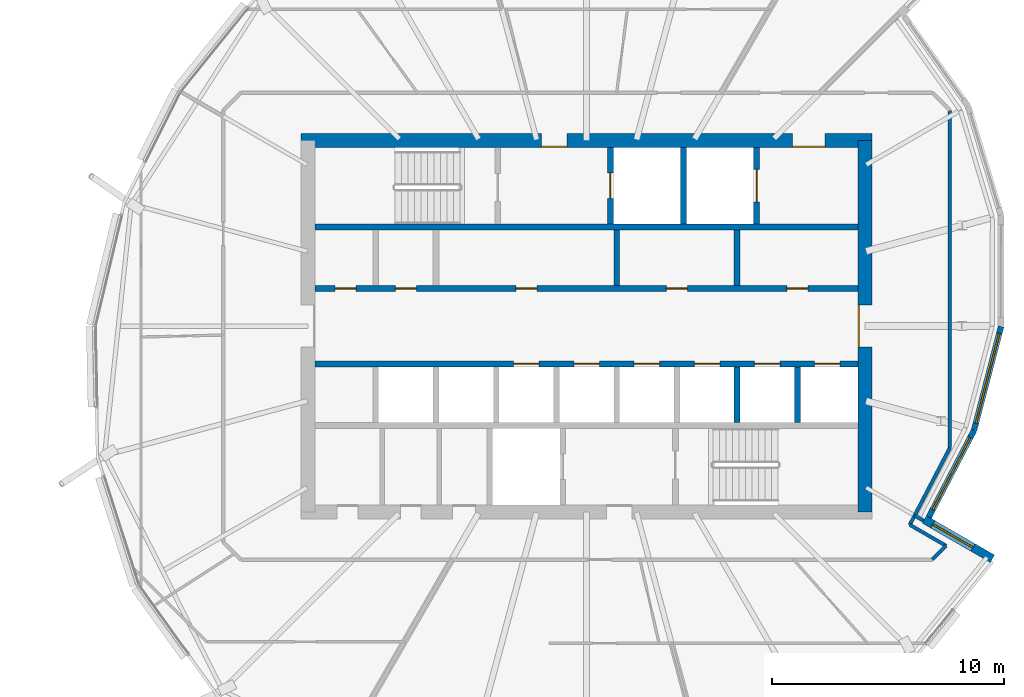
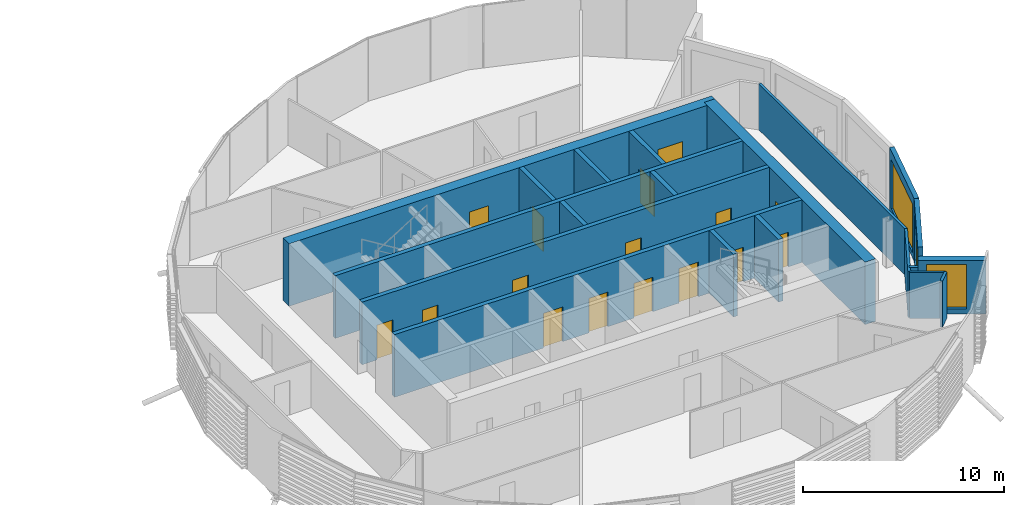
# One storey, part 23 of 37: 20 walls, 16 doors, 3 windows, 19 openings.
"""IFC4 building model written with IfcOpenShell, lengths in metres."""

from ifc_helpers import new_model, si_unit, direction, frame, frame_2d, origin, place, context, subcontext, project, spatial, rectangle, extrude, material, layer, layer_set, type_object, element, fill, save


model = new_model("IFC4")

# Units and contexts
model_context = context("Model", 3, precision=1e-05, world=origin(), true_north=direction((0.0, 1.0)))
body_context = subcontext(model_context, "Body", "Model", "MODEL_VIEW")
ifc_project = project(units=[si_unit("LENGTHUNIT", "METRE"), si_unit("AREAUNIT", "SQUARE_METRE"), si_unit("VOLUMEUNIT", "CUBIC_METRE"), si_unit("PLANEANGLEUNIT", "RADIAN"), si_unit("MASSUNIT", "GRAM", prefix="KILO")], contexts=[model_context])

# Site, building, storey
site_placement = place(None, origin())
site = spatial("IfcSite", under=ifc_project, at=site_placement, CompositionType="ELEMENT")
building_placement = place(site_placement, origin())
building = spatial("IfcBuilding", under=site, at=building_placement, Name="Rimbun Link Towers", CompositionType="ELEMENT")
storey_placement = place(building_placement, frame((0.0, 0.0, 162.699951171875)))
storey = spatial("IfcBuildingStorey", under=building, at=storey_placement, Name="L39", CompositionType="ELEMENT", Elevation=162.699951171875)

# Wall, opening, window
ifc_material_1 = material(Name="Dark enamelled glass spandrel on insulated aluminium backpan", Category="aluminium")
ifc_layer_1 = layer(ifc_material_1, 0.25)
ifc_layer_set_1 = layer_set([ifc_layer_1], Name="CS dark enamelled spandrel wall 250")
wall_type_1 = type_object("IfcWallType", Name="CS dark enamelled spandrel wall 250", PredefinedType="STANDARD", material=ifc_layer_set_1)
wall_1_placement = place(storey_placement, frame((48.44287109375, -4.486572265625, 0.0), z_axis=(0.0, 0.0, 1.0), x_axis=(-0.461704688685, -0.887033697469, 0.0)))
wall_1 = element("IfcWall", 1, at=wall_1_placement, inside=storey, type_object=wall_type_1, Name="Crease spandrel wall", PredefinedType="STANDARD", context=body_context, shape_type="SweptSolid", body=[
    extrude(rectangle(XDim=4.21484375, YDim=0.25, at=frame_2d((2.107421875, 0.0))), origin(), (0.0, 0.0, 1.0), 3.800048828125),
])
opening_1_placement = place(wall_1_placement, frame((0.357421875, 0.0, 0.300048828125)))
opening_1 = element("IfcOpeningElement", 2, at=opening_1_placement, cuts=wall_1, Name="Opening WR35H295", PredefinedType="OPENING", context=body_context, shape_type="SweptSolid", body=[
    extrude(rectangle(XDim=3.5, YDim=2.949951171875, at=frame_2d((1.75, 1.47509765625))), frame((0.0, 0.135009765625, 0.0), z_axis=(0.0, -1.0, 0.0), x_axis=(1.0, 0.0, 0.0)), (0.0, 0.0, 1.0), 0.27001953125),
])
ifc_material_2 = material(Name="Aluminium framed fixed window, dark tinted low-e glass", Category="aluminium")
window_type_1 = type_object("IfcWindowType", Name="WR ribbon window 3500X2950", PartitioningType="SINGLE_PANEL", PredefinedType="WINDOW", material=ifc_material_2)
window_1_placement = place(opening_1_placement, origin())
window_1 = element("IfcWindow", 3, at=window_1_placement, inside=storey, type_object=window_type_1, Name="Crease ribbon window", OverallHeight=2.949951171875, OverallWidth=3.5, PartitioningType="SINGLE_PANEL", PredefinedType="WINDOW", context=body_context, shape_type="SweptSolid", body=[
    extrude(rectangle(XDim=3.5, YDim=2.949951171875, at=frame_2d((1.75, 1.47509765625))), frame((0.0, 0.030029296875, 0.0), z_axis=(0.0, -1.0, 0.0), x_axis=(1.0, 0.0, 0.0)), (0.0, 0.0, 1.0), 0.06005859375),
])
fill(opening_1, window_1)

wall_2_placement = place(storey_placement, frame((49.607177734375, -0.015869140625, 0.0), z_axis=(0.0, 0.0, 1.0), x_axis=(-0.252023891892, -0.967721012439, 0.0)))
wall_2 = element("IfcWall", 4, at=wall_2_placement, inside=storey, type_object=wall_type_1, Name="Crease spandrel wall", PredefinedType="STANDARD", context=body_context, shape_type="SweptSolid", body=[
    extrude(rectangle(XDim=4.619873046875, YDim=0.25, at=frame_2d((2.31005859375, 0.0))), origin(), (0.0, 0.0, 1.0), 3.800048828125),
])
opening_2_placement = place(wall_2_placement, frame((0.309814453125, 0.0, 0.300048828125)))
opening_2 = element("IfcOpeningElement", 5, at=opening_2_placement, cuts=wall_2, Name="Opening WR40H295", PredefinedType="OPENING", context=body_context, shape_type="SweptSolid", body=[
    extrude(rectangle(XDim=4.0, YDim=2.949951171875, at=frame_2d((2.0, 1.47509765625))), frame((0.0, 0.135009765625, 0.0), z_axis=(0.0, -1.0, 0.0), x_axis=(1.0, 0.0, 0.0)), (0.0, 0.0, 1.0), 0.27001953125),
])
ifc_material_3 = material(Name="Aluminium framed fixed window, dark tinted low-e glass", Category="aluminium")
window_type_2 = type_object("IfcWindowType", Name="WR ribbon window 4000X2950", PartitioningType="SINGLE_PANEL", PredefinedType="WINDOW", material=ifc_material_3)
window_2_placement = place(opening_2_placement, origin())
window_2 = element("IfcWindow", 6, at=window_2_placement, inside=storey, type_object=window_type_2, Name="Crease ribbon window", OverallHeight=2.949951171875, OverallWidth=4.0, PartitioningType="SINGLE_PANEL", PredefinedType="WINDOW", context=body_context, shape_type="SweptSolid", body=[
    extrude(rectangle(XDim=4.0, YDim=2.949951171875, at=frame_2d((2.0, 1.47509765625))), frame((0.0, 0.030029296875, 0.0), z_axis=(0.0, -1.0, 0.0), x_axis=(1.0, 0.0, 0.0)), (0.0, 0.0, 1.0), 0.06005859375),
])
fill(opening_2, window_2)

ifc_material_4 = material(Name="Dark enamelled glass spandrel on insulated aluminium backpan", Category="aluminium")
ifc_layer_2 = layer(ifc_material_4, 0.3701171875)
ifc_layer_set_2 = layer_set([ifc_layer_2], Name="CS dark enamelled spandrel wall 370")
wall_type_2 = type_object("IfcWallType", Name="CS dark enamelled spandrel wall 370", PredefinedType="STANDARD", material=ifc_layer_set_2)
wall_3_placement = place(storey_placement, frame((46.305419921875, -8.32861328125, 0.0), z_axis=(0.0, 0.0, 1.0), x_axis=(0.866038843867, -0.499976720371, 0.0)))
wall_3 = element("IfcWall", 7, at=wall_3_placement, inside=storey, type_object=wall_type_2, Name="Crease spandrel wall", PredefinedType="STANDARD", context=body_context, shape_type="SweptSolid", body=[
    extrude(rectangle(XDim=3.380126953125, YDim=0.3701171875, at=frame_2d((1.68994140625, 0.0))), origin(), (0.0, 0.0, 1.0), 3.233642578125),
])
opening_3_placement = place(wall_3_placement, frame((0.41455078125, 0.0, 0.300048828125)))
opening_3 = element("IfcOpeningElement", 8, at=opening_3_placement, cuts=wall_3, Name="Opening WR20H270", PredefinedType="OPENING", context=body_context, shape_type="SweptSolid", body=[
    extrude(rectangle(XDim=2.0, YDim=2.699951171875, at=frame_2d((1.0, 1.35009765625))), frame((0.0, 0.195068359375, 0.0), z_axis=(0.0, -1.0, 0.0), x_axis=(1.0, 0.0, 0.0)), (0.0, 0.0, 1.0), 0.39013671875),
])
ifc_material_5 = material(Name="Aluminium framed fixed window, dark tinted low-e glass", Category="aluminium")
window_type_3 = type_object("IfcWindowType", Name="WR ribbon window 2000X2700", PartitioningType="SINGLE_PANEL", PredefinedType="WINDOW", material=ifc_material_5)
window_3_placement = place(opening_3_placement, origin())
window_3 = element("IfcWindow", 9, at=window_3_placement, inside=storey, type_object=window_type_3, Name="Crease ribbon window", OverallHeight=2.699951171875, OverallWidth=2.0, PartitioningType="SINGLE_PANEL", PredefinedType="WINDOW", context=body_context, shape_type="SweptSolid", body=[
    extrude(rectangle(XDim=2.0, YDim=2.699951171875, at=frame_2d((1.0, 1.35009765625))), frame((0.0, 0.030029296875, 0.0), z_axis=(0.0, -1.0, 0.0), x_axis=(1.0, 0.0, 0.0)), (0.0, 0.0, 1.0), 0.06005859375),
])
fill(opening_3, window_3)

# Wall, openings, doors
ifc_material_6 = material(Name="Concrete C60/75", Category="concrete")
ifc_layer_3 = layer(ifc_material_6, 0.60009765625)
ifc_layer_set_3 = layer_set([ifc_layer_3], Name="Core shear wall 600")
wall_type_3 = type_object("IfcWallType", Name="Core shear wall 600", PredefinedType="SHEAR", material=ifc_layer_set_3)
wall_4_placement = place(storey_placement, frame((19.449951171875, 8.0, 0.0), z_axis=(0.0, 0.0, 1.0), x_axis=(1.0, 0.0, 0.0)))
wall_4 = element("IfcWall", 10, at=wall_4_placement, inside=storey, type_object=wall_type_3, Name="L39 T2 core wall N", PredefinedType="SHEAR", context=body_context, shape_type="SweptSolid", body=[
    extrude(rectangle(XDim=24.60009765625, YDim=0.60009765625, at=frame_2d((12.300048828125, 0.0))), origin(), (0.0, 0.0, 1.0), 3.800048828125),
])
opening_4_placement = place(wall_4_placement, frame((10.35009765625, 0.0, 0.0)))
opening_4 = element("IfcOpeningElement", 11, at=opening_4_placement, cuts=wall_4, Name="Opening C2DCF01N", PredefinedType="OPENING", context=body_context, shape_type="SweptSolid", body=[
    extrude(rectangle(XDim=1.10009765625, YDim=2.10009765625, at=frame_2d((0.550048828125, 1.050048828125))), frame((0.0, 0.31005859375, 0.0), z_axis=(0.0, -1.0, 0.0), x_axis=(1.0, 0.0, 0.0)), (0.0, 0.0, 1.0), 0.6201171875),
])
opening_5_placement = place(wall_4_placement, frame((21.175048828125, 0.0, 0.0)))
opening_5 = element("IfcOpeningElement", 12, at=opening_5_placement, cuts=wall_4, Name="Opening C2DSL02N", PredefinedType="OPENING", context=body_context, shape_type="SweptSolid", body=[
    extrude(rectangle(XDim=1.39990234375, YDim=2.10009765625, at=frame_2d((0.699951171875, 1.050048828125))), frame((0.0, 0.31005859375, 0.0), z_axis=(0.0, -1.0, 0.0), x_axis=(1.0, 0.0, 0.0)), (0.0, 0.0, 1.0), 0.6201171875),
])
ifc_material_7 = material(Name="Steel fire door set", Category="steel")
door_type_1 = type_object("IfcDoorType", Name="Core fire door single", OperationType="SINGLE_SWING_LEFT", PredefinedType="DOOR", material=ifc_material_7)
door_1_placement = place(opening_4_placement, origin())
door_1 = element("IfcDoor", 13, at=door_1_placement, inside=storey, type_object=door_type_1, Name="L39 T2 firefighting lobby n door", OperationType="SINGLE_SWING_LEFT", OverallHeight=2.10009765625, OverallWidth=1.10009765625, PredefinedType="DOOR", context=body_context, shape_type="SweptSolid", body=[
    extrude(rectangle(XDim=1.10009765625, YDim=2.10009765625, at=frame_2d((0.550048828125, 1.050048828125))), frame((0.0, -0.25, 0.0), z_axis=(0.0, -1.0, 0.0), x_axis=(1.0, 0.0, 0.0)), (0.0, 0.0, 1.0), 0.050048828125),
])
fill(opening_4, door_1)
ifc_material_8 = material(Name="Steel fire door set", Category="steel")
door_type_2 = type_object("IfcDoorType", Name="Service lobby door double", OperationType="DOUBLE_DOOR_SINGLE_SWING", PredefinedType="DOOR", material=ifc_material_8)
door_2_placement = place(opening_5_placement, origin())
door_2 = element("IfcDoor", 14, at=door_2_placement, inside=storey, type_object=door_type_2, Name="L39 T2 service lobby door", OperationType="DOUBLE_DOOR_SINGLE_SWING", OverallHeight=2.10009765625, OverallWidth=1.39990234375, PredefinedType="DOOR", context=body_context, shape_type="SweptSolid", body=[
    extrude(rectangle(XDim=1.39990234375, YDim=2.10009765625, at=frame_2d((0.699951171875, 1.050048828125))), frame((0.0, -0.25, 0.0), z_axis=(0.0, -1.0, 0.0), x_axis=(1.0, 0.0, 0.0)), (0.0, 0.0, 1.0), 0.050048828125),
])
fill(opening_5, door_2)

# Wall, opening, door
wall_5_placement = place(storey_placement, frame((43.75, -8.0, 0.0), z_axis=(0.0, 0.0, 1.0), x_axis=(0.0, 1.0, 0.0)))
wall_5 = element("IfcWall", 15, at=wall_5_placement, inside=storey, type_object=wall_type_3, Name="L39 T2 core wall E", PredefinedType="SHEAR", context=body_context, shape_type="SweptSolid", body=[
    extrude(rectangle(XDim=16.0, YDim=0.60009765625, at=frame_2d((8.0, 0.0))), origin(), (0.0, 0.0, 1.0), 3.800048828125),
])
opening_6_placement = place(wall_5_placement, frame((7.10009765625, 0.0, 0.0)))
opening_6 = element("IfcOpeningElement", 16, at=opening_6_placement, cuts=wall_5, Name="Opening C2DCL01E", PredefinedType="OPENING", context=body_context, shape_type="SweptSolid", body=[
    extrude(rectangle(XDim=1.800048828125, YDim=2.10009765625, at=frame_2d((0.89990234375, 1.050048828125))), frame((0.0, 0.31005859375, 0.0), z_axis=(0.0, -1.0, 0.0), x_axis=(1.0, 0.0, 0.0)), (0.0, 0.0, 1.0), 0.6201171875),
])
ifc_material_9 = material(Name="Steel fire door set", Category="steel")
door_type_3 = type_object("IfcDoorType", Name="Core lobby door double", OperationType="DOUBLE_DOOR_SINGLE_SWING", PredefinedType="DOOR", material=ifc_material_9)
door_3_placement = place(opening_6_placement, origin())
door_3 = element("IfcDoor", 17, at=door_3_placement, inside=storey, type_object=door_type_3, Name="L39 T2 lift lobby door", OperationType="DOUBLE_DOOR_SINGLE_SWING", OverallHeight=2.10009765625, OverallWidth=1.800048828125, PredefinedType="DOOR", context=body_context, shape_type="SweptSolid", body=[
    extrude(rectangle(XDim=1.800048828125, YDim=2.10009765625, at=frame_2d((0.89990234375, 1.050048828125))), frame((0.0, 0.2998046875, 0.0), z_axis=(0.0, -1.0, 0.0), x_axis=(1.0, 0.0, 0.0)), (0.0, 0.0, 1.0), 0.050048828125),
])
fill(opening_6, door_3)

# Walls
ifc_material_10 = material(Name="Plasterboard on steel stud, mineral wool", Category="steel")
ifc_layer_4 = layer(ifc_material_10, 0.14990234375)
ifc_layer_set_4 = layer_set([ifc_layer_4], Name="Corridor wall EI 30 150 mm")
wall_type_4 = type_object("IfcWallType", Name="Corridor wall EI 30 150 mm", PredefinedType="PARTITIONING", material=ifc_layer_set_4)
wall_6_placement = place(storey_placement, frame((47.405029296875, -5.235107421875, 0.0), z_axis=(0.0, 0.0, 1.0), x_axis=(0.0, 1.0, 0.0)))
element("IfcWall", 18, at=wall_6_placement, inside=storey, type_object=wall_type_4, Name="Corridor wall EI 30 150 mm", PredefinedType="PARTITIONING", context=body_context, shape_type="SweptSolid", body=[
    extrude(rectangle(XDim=14.52880859375, YDim=0.14990234375, at=frame_2d((7.264404296875, 0.0))), origin(), (0.0, 0.0, 1.0), 2.7890625),
])
wall_7_placement = place(storey_placement, frame((45.6748046875, -8.55908203125, 0.0), z_axis=(0.0, 0.0, 1.0), x_axis=(0.461721937832, 0.887024719004, 0.0)))
element("IfcWall", 19, at=wall_7_placement, inside=storey, type_object=wall_type_4, Name="Corridor wall EI 30 150 mm", PredefinedType="PARTITIONING", context=body_context, shape_type="SweptSolid", body=[
    extrude(rectangle(XDim=3.747314453125, YDim=0.14990234375, at=frame_2d((1.87353515625, 0.0))), origin(), (0.0, 0.0, 1.0), 2.7890625),
])
wall_8_placement = place(storey_placement, frame((47.2373046875, -9.461181640625, 0.0), z_axis=(0.0, 0.0, 1.0), x_axis=(-0.866027848477, 0.499995765644, 0.0)))
element("IfcWall", 20, at=wall_8_placement, inside=storey, type_object=wall_type_4, Name="Corridor wall EI 30 150 mm", PredefinedType="PARTITIONING", context=body_context, shape_type="SweptSolid", body=[
    extrude(rectangle(XDim=1.80419921875, YDim=0.14990234375, at=frame_2d((0.902099609375, 0.0))), origin(), (0.0, 0.0, 1.0), 2.7890625),
])
wall_9_placement = place(storey_placement, frame((46.643798828125, -10.054931640625, 0.0), z_axis=(0.0, 0.0, 1.0), x_axis=(0.706961360773, 0.707252171699, 0.0)))
element("IfcWall", 21, at=wall_9_placement, inside=storey, type_object=wall_type_4, Name="Corridor wall EI 30 150 mm", PredefinedType="PARTITIONING", context=body_context, shape_type="SweptSolid", body=[
    extrude(rectangle(XDim=0.839599609375, YDim=0.14990234375, at=frame_2d((0.419921875, 0.0))), origin(), (0.0, 0.0, 1.0), 2.7890625),
])
ifc_material_11 = material(Name="Concrete C60/75", Category="concrete")
ifc_layer_5 = layer(ifc_material_11, 0.25)
ifc_layer_set_5 = layer_set([ifc_layer_5], Name="Shaft wall 250")
wall_type_5 = type_object("IfcWallType", Name="Shaft wall 250", PredefinedType="SHEAR", material=ifc_layer_set_5)
wall_10_placement = place(storey_placement, frame((20.050048828125, 4.27490234375, 0.0), z_axis=(0.0, 0.0, 1.0), x_axis=(1.0, 0.0, 0.0)))
element("IfcWall", 22, at=wall_10_placement, inside=storey, type_object=wall_type_5, Name="L39 T2 core wall BN", PredefinedType="SHEAR", context=body_context, shape_type="SweptSolid", body=[
    extrude(rectangle(XDim=23.39990234375, YDim=0.25, at=frame_2d((11.699951171875, 0.0))), origin(), (0.0, 0.0, 1.0), 3.800048828125),
])

# Wall, openings, doors
wall_11_placement = place(storey_placement, frame((20.050048828125, 1.625, 0.0), z_axis=(0.0, 0.0, 1.0), x_axis=(1.0, 0.0, 0.0)))
wall_11 = element("IfcWall", 23, at=wall_11_placement, inside=storey, type_object=wall_type_5, Name="L39 T2 core wall FN", PredefinedType="SHEAR", context=body_context, shape_type="SweptSolid", body=[
    extrude(rectangle(XDim=23.39990234375, YDim=0.25, at=frame_2d((11.699951171875, 0.0))), origin(), (0.0, 0.0, 1.0), 3.800048828125),
])
opening_7_placement = place(wall_11_placement, frame((0.872314453125, 0.0, 0.0)))
opening_7 = element("IfcOpeningElement", 24, at=opening_7_placement, cuts=wall_11, Name="Opening C2DRS01FN", PredefinedType="OPENING", context=body_context, shape_type="SweptSolid", body=[
    extrude(rectangle(XDim=0.89990234375, YDim=2.10009765625, at=frame_2d((0.449951171875, 1.050048828125))), frame((0.0, 0.135009765625, 0.0), z_axis=(0.0, -1.0, 0.0), x_axis=(1.0, 0.0, 0.0)), (0.0, 0.0, 1.0), 0.27001953125),
])
opening_8_placement = place(wall_11_placement, frame((3.466796875, 0.0, 0.0)))
opening_8 = element("IfcOpeningElement", 25, at=opening_8_placement, cuts=wall_11, Name="Opening C2DRS02FN", PredefinedType="OPENING", context=body_context, shape_type="SweptSolid", body=[
    extrude(rectangle(XDim=0.89990234375, YDim=2.10009765625, at=frame_2d((0.449951171875, 1.050048828125))), frame((0.0, 0.135009765625, 0.0), z_axis=(0.0, -1.0, 0.0), x_axis=(1.0, 0.0, 0.0)), (0.0, 0.0, 1.0), 0.27001953125),
])
opening_9_placement = place(wall_11_placement, frame((8.655517578125, 0.0, 0.0)))
opening_9 = element("IfcOpeningElement", 26, at=opening_9_placement, cuts=wall_11, Name="Opening C2DRS03FN", PredefinedType="OPENING", context=body_context, shape_type="SweptSolid", body=[
    extrude(rectangle(XDim=0.89990234375, YDim=2.10009765625, at=frame_2d((0.449951171875, 1.050048828125))), frame((0.0, 0.135009765625, 0.0), z_axis=(0.0, -1.0, 0.0), x_axis=(1.0, 0.0, 0.0)), (0.0, 0.0, 1.0), 0.27001953125),
])
opening_10_placement = place(wall_11_placement, frame((15.1416015625, 0.0, 0.0)))
opening_10 = element("IfcOpeningElement", 27, at=opening_10_placement, cuts=wall_11, Name="Opening C2DRS04FN", PredefinedType="OPENING", context=body_context, shape_type="SweptSolid", body=[
    extrude(rectangle(XDim=0.89990234375, YDim=2.10009765625, at=frame_2d((0.449951171875, 1.050048828125))), frame((0.0, 0.135009765625, 0.0), z_axis=(0.0, -1.0, 0.0), x_axis=(1.0, 0.0, 0.0)), (0.0, 0.0, 1.0), 0.27001953125),
])
opening_11_placement = place(wall_11_placement, frame((20.33056640625, 0.0, 0.0)))
opening_11 = element("IfcOpeningElement", 28, at=opening_11_placement, cuts=wall_11, Name="Opening C2DRS05FN", PredefinedType="OPENING", context=body_context, shape_type="SweptSolid", body=[
    extrude(rectangle(XDim=0.89990234375, YDim=2.10009765625, at=frame_2d((0.449951171875, 1.050048828125))), frame((0.0, 0.135009765625, 0.0), z_axis=(0.0, -1.0, 0.0), x_axis=(1.0, 0.0, 0.0)), (0.0, 0.0, 1.0), 0.27001953125),
])
ifc_material_12 = material(Name="Steel fire door set", Category="steel")
door_type_4 = type_object("IfcDoorType", Name="Core riser door", OperationType="SINGLE_SWING_LEFT", PredefinedType="DOOR", material=ifc_material_12)
door_4_placement = place(opening_7_placement, origin())
door_4 = element("IfcDoor", 29, at=door_4_placement, inside=storey, type_object=door_type_4, Name="L39 T2 pantry door", OperationType="SINGLE_SWING_RIGHT", OverallHeight=2.10009765625, OverallWidth=0.89990234375, PredefinedType="DOOR", context=body_context, shape_type="SweptSolid", body=[
    extrude(rectangle(XDim=0.89990234375, YDim=2.10009765625, at=frame_2d((0.449951171875, 1.050048828125))), frame((0.0, 0.02490234375, 0.0), z_axis=(0.0, -1.0, 0.0), x_axis=(1.0, 0.0, 0.0)), (0.0, 0.0, 1.0), 0.050048828125),
])
fill(opening_7, door_4)
door_5_placement = place(opening_8_placement, origin())
door_5 = element("IfcDoor", 30, at=door_5_placement, inside=storey, type_object=door_type_4, Name="L39 T2 stationery store door", OperationType="SINGLE_SWING_LEFT", OverallHeight=2.10009765625, OverallWidth=0.89990234375, PredefinedType="DOOR", context=body_context, shape_type="SweptSolid", body=[
    extrude(rectangle(XDim=0.89990234375, YDim=2.10009765625, at=frame_2d((0.449951171875, 1.050048828125))), frame((0.0, 0.02490234375, 0.0), z_axis=(0.0, -1.0, 0.0), x_axis=(1.0, 0.0, 0.0)), (0.0, 0.0, 1.0), 0.050048828125),
])
fill(opening_8, door_5)
door_6_placement = place(opening_9_placement, origin())
door_6 = element("IfcDoor", 31, at=door_6_placement, inside=storey, type_object=door_type_4, Name="L39 T2 training store door", OperationType="SINGLE_SWING_LEFT", OverallHeight=2.10009765625, OverallWidth=0.89990234375, PredefinedType="DOOR", context=body_context, shape_type="SweptSolid", body=[
    extrude(rectangle(XDim=0.89990234375, YDim=2.10009765625, at=frame_2d((0.449951171875, 1.050048828125))), frame((0.0, 0.02490234375, 0.0), z_axis=(0.0, -1.0, 0.0), x_axis=(1.0, 0.0, 0.0)), (0.0, 0.0, 1.0), 0.050048828125),
])
fill(opening_9, door_6)
door_7_placement = place(opening_10_placement, origin())
door_7 = element("IfcDoor", 32, at=door_7_placement, inside=storey, type_object=door_type_4, Name="L39 T2 print room door", OperationType="SINGLE_SWING_LEFT", OverallHeight=2.10009765625, OverallWidth=0.89990234375, PredefinedType="DOOR", context=body_context, shape_type="SweptSolid", body=[
    extrude(rectangle(XDim=0.89990234375, YDim=2.10009765625, at=frame_2d((0.449951171875, 1.050048828125))), frame((0.0, 0.02490234375, 0.0), z_axis=(0.0, -1.0, 0.0), x_axis=(1.0, 0.0, 0.0)), (0.0, 0.0, 1.0), 0.050048828125),
])
fill(opening_10, door_7)
door_8_placement = place(opening_11_placement, origin())
door_8 = element("IfcDoor", 33, at=door_8_placement, inside=storey, type_object=door_type_4, Name="L39 T2 staff lounge door", OperationType="SINGLE_SWING_LEFT", OverallHeight=2.10009765625, OverallWidth=0.89990234375, PredefinedType="DOOR", context=body_context, shape_type="SweptSolid", body=[
    extrude(rectangle(XDim=0.89990234375, YDim=2.10009765625, at=frame_2d((0.449951171875, 1.050048828125))), frame((0.0, 0.02490234375, 0.0), z_axis=(0.0, -1.0, 0.0), x_axis=(1.0, 0.0, 0.0)), (0.0, 0.0, 1.0), 0.050048828125),
])
fill(opening_11, door_8)

wall_12_placement = place(storey_placement, frame((20.050048828125, -1.625, 0.0), z_axis=(0.0, 0.0, 1.0), x_axis=(1.0, 0.0, 0.0)))
wall_12 = element("IfcWall", 34, at=wall_12_placement, inside=storey, type_object=wall_type_5, Name="L39 T2 core wall FS", PredefinedType="SHEAR", context=body_context, shape_type="SweptSolid", body=[
    extrude(rectangle(XDim=23.39990234375, YDim=0.25, at=frame_2d((11.699951171875, 0.0))), origin(), (0.0, 0.0, 1.0), 3.800048828125),
])
opening_12_placement = place(wall_12_placement, frame((8.5556640625, 0.0, 0.0)))
opening_12 = element("IfcOpeningElement", 35, at=opening_12_placement, cuts=wall_12, Name="Opening LD-T2-HR1", PredefinedType="OPENING", context=body_context, shape_type="SweptSolid", body=[
    extrude(rectangle(XDim=1.10009765625, YDim=2.10009765625, at=frame_2d((0.550048828125, 1.050048828125))), frame((0.0, 0.135009765625, 0.0), z_axis=(0.0, -1.0, 0.0), x_axis=(1.0, 0.0, 0.0)), (0.0, 0.0, 1.0), 0.27001953125),
])
opening_13_placement = place(wall_12_placement, frame((11.14990234375, 0.0, 0.0)))
opening_13 = element("IfcOpeningElement", 36, at=opening_13_placement, cuts=wall_12, Name="Opening LD-T2-HR2", PredefinedType="OPENING", context=body_context, shape_type="SweptSolid", body=[
    extrude(rectangle(XDim=1.10009765625, YDim=2.10009765625, at=frame_2d((0.550048828125, 1.050048828125))), frame((0.0, 0.135009765625, 0.0), z_axis=(0.0, -1.0, 0.0), x_axis=(1.0, 0.0, 0.0)), (0.0, 0.0, 1.0), 0.27001953125),
])
opening_14_placement = place(wall_12_placement, frame((13.744384765625, 0.0, 0.0)))
opening_14 = element("IfcOpeningElement", 37, at=opening_14_placement, cuts=wall_12, Name="Opening LD-T2-HR3", PredefinedType="OPENING", context=body_context, shape_type="SweptSolid", body=[
    extrude(rectangle(XDim=1.10009765625, YDim=2.10009765625, at=frame_2d((0.550048828125, 1.050048828125))), frame((0.0, 0.135009765625, 0.0), z_axis=(0.0, -1.0, 0.0), x_axis=(1.0, 0.0, 0.0)), (0.0, 0.0, 1.0), 0.27001953125),
])
opening_15_placement = place(wall_12_placement, frame((16.3388671875, 0.0, 0.0)))
opening_15 = element("IfcOpeningElement", 38, at=opening_15_placement, cuts=wall_12, Name="Opening LD-T2-HR4", PredefinedType="OPENING", context=body_context, shape_type="SweptSolid", body=[
    extrude(rectangle(XDim=1.10009765625, YDim=2.10009765625, at=frame_2d((0.550048828125, 1.050048828125))), frame((0.0, 0.135009765625, 0.0), z_axis=(0.0, -1.0, 0.0), x_axis=(1.0, 0.0, 0.0)), (0.0, 0.0, 1.0), 0.27001953125),
])
opening_16_placement = place(wall_12_placement, frame((18.933349609375, 0.0, 0.0)))
opening_16 = element("IfcOpeningElement", 39, at=opening_16_placement, cuts=wall_12, Name="Opening LD-T2-HR5", PredefinedType="OPENING", context=body_context, shape_type="SweptSolid", body=[
    extrude(rectangle(XDim=1.10009765625, YDim=2.10009765625, at=frame_2d((0.550048828125, 1.050048828125))), frame((0.0, 0.135009765625, 0.0), z_axis=(0.0, -1.0, 0.0), x_axis=(1.0, 0.0, 0.0)), (0.0, 0.0, 1.0), 0.27001953125),
])
opening_17_placement = place(wall_12_placement, frame((21.52783203125, 0.0, 0.0)))
opening_17 = element("IfcOpeningElement", 40, at=opening_17_placement, cuts=wall_12, Name="Opening LD-T2-HR6", PredefinedType="OPENING", context=body_context, shape_type="SweptSolid", body=[
    extrude(rectangle(XDim=1.10009765625, YDim=2.10009765625, at=frame_2d((0.550048828125, 1.050048828125))), frame((0.0, 0.135009765625, 0.0), z_axis=(0.0, -1.0, 0.0), x_axis=(1.0, 0.0, 0.0)), (0.0, 0.0, 1.0), 0.27001953125),
])
ifc_material_13 = material(Name="Stainless steel grade 316", Category="steel")
door_type_5 = type_object("IfcDoorType", Name="Lift landing door", OperationType="DOUBLE_DOOR_SLIDING", PredefinedType="DOOR", material=ifc_material_13)
door_9_placement = place(opening_12_placement, origin())
door_9 = element("IfcDoor", 41, at=door_9_placement, inside=storey, type_object=door_type_5, Name="L39 T2 lift HR1 landing door", OperationType="DOUBLE_DOOR_SLIDING", OverallHeight=2.10009765625, OverallWidth=1.10009765625, PredefinedType="DOOR", context=body_context, shape_type="SweptSolid", body=[
    extrude(rectangle(XDim=1.10009765625, YDim=2.10009765625, at=frame_2d((0.550048828125, 1.050048828125))), frame((0.0, 0.02490234375, 0.0), z_axis=(0.0, -1.0, 0.0), x_axis=(1.0, 0.0, 0.0)), (0.0, 0.0, 1.0), 0.050048828125),
])
fill(opening_12, door_9)
door_10_placement = place(opening_13_placement, origin())
door_10 = element("IfcDoor", 42, at=door_10_placement, inside=storey, type_object=door_type_5, Name="L39 T2 lift HR2 landing door", OperationType="DOUBLE_DOOR_SLIDING", OverallHeight=2.10009765625, OverallWidth=1.10009765625, PredefinedType="DOOR", context=body_context, shape_type="SweptSolid", body=[
    extrude(rectangle(XDim=1.10009765625, YDim=2.10009765625, at=frame_2d((0.550048828125, 1.050048828125))), frame((0.0, 0.02490234375, 0.0), z_axis=(0.0, -1.0, 0.0), x_axis=(1.0, 0.0, 0.0)), (0.0, 0.0, 1.0), 0.050048828125),
])
fill(opening_13, door_10)
door_11_placement = place(opening_14_placement, origin())
door_11 = element("IfcDoor", 43, at=door_11_placement, inside=storey, type_object=door_type_5, Name="L39 T2 lift HR3 landing door", OperationType="DOUBLE_DOOR_SLIDING", OverallHeight=2.10009765625, OverallWidth=1.10009765625, PredefinedType="DOOR", context=body_context, shape_type="SweptSolid", body=[
    extrude(rectangle(XDim=1.10009765625, YDim=2.10009765625, at=frame_2d((0.550048828125, 1.050048828125))), frame((0.0, 0.02490234375, 0.0), z_axis=(0.0, -1.0, 0.0), x_axis=(1.0, 0.0, 0.0)), (0.0, 0.0, 1.0), 0.050048828125),
])
fill(opening_14, door_11)
door_12_placement = place(opening_15_placement, origin())
door_12 = element("IfcDoor", 44, at=door_12_placement, inside=storey, type_object=door_type_5, Name="L39 T2 lift HR4 landing door", OperationType="DOUBLE_DOOR_SLIDING", OverallHeight=2.10009765625, OverallWidth=1.10009765625, PredefinedType="DOOR", context=body_context, shape_type="SweptSolid", body=[
    extrude(rectangle(XDim=1.10009765625, YDim=2.10009765625, at=frame_2d((0.550048828125, 1.050048828125))), frame((0.0, 0.02490234375, 0.0), z_axis=(0.0, -1.0, 0.0), x_axis=(1.0, 0.0, 0.0)), (0.0, 0.0, 1.0), 0.050048828125),
])
fill(opening_15, door_12)
door_13_placement = place(opening_16_placement, origin())
door_13 = element("IfcDoor", 45, at=door_13_placement, inside=storey, type_object=door_type_5, Name="L39 T2 lift HR5 landing door", OperationType="DOUBLE_DOOR_SLIDING", OverallHeight=2.10009765625, OverallWidth=1.10009765625, PredefinedType="DOOR", context=body_context, shape_type="SweptSolid", body=[
    extrude(rectangle(XDim=1.10009765625, YDim=2.10009765625, at=frame_2d((0.550048828125, 1.050048828125))), frame((0.0, 0.02490234375, 0.0), z_axis=(0.0, -1.0, 0.0), x_axis=(1.0, 0.0, 0.0)), (0.0, 0.0, 1.0), 0.050048828125),
])
fill(opening_16, door_13)
door_14_placement = place(opening_17_placement, origin())
door_14 = element("IfcDoor", 46, at=door_14_placement, inside=storey, type_object=door_type_5, Name="L39 T2 lift HR6 landing door", OperationType="DOUBLE_DOOR_SLIDING", OverallHeight=2.10009765625, OverallWidth=1.10009765625, PredefinedType="DOOR", context=body_context, shape_type="SweptSolid", body=[
    extrude(rectangle(XDim=1.10009765625, YDim=2.10009765625, at=frame_2d((0.550048828125, 1.050048828125))), frame((0.0, 0.02490234375, 0.0), z_axis=(0.0, -1.0, 0.0), x_axis=(1.0, 0.0, 0.0)), (0.0, 0.0, 1.0), 0.050048828125),
])
fill(opening_17, door_14)

# Walls
for number, where, z_axis, x_axis, name in (
    (47, (33.047119140625, 1.75, 0.0), (0.0, 0.0, 1.0), (0.0, 1.0, 0.0), "L39 T2 core wall DN4"),
    (48, (38.236083984375, 1.75, 0.0), (0.0, 0.0, 1.0), (0.0, 1.0, 0.0), "L39 T2 core wall DN6"),
    (49, (38.236083984375, -4.14990234375, 0.0), (0.0, 0.0, 1.0), (0.0, 1.0, 0.0), "L39 T2 core wall DS6"),
    (50, (40.83056640625, -4.14990234375, 0.0), (0.0, 0.0, 1.0), (0.0, 1.0, 0.0), "L39 T2 core wall DS7"),
):
    element("IfcWall", number, at=place(storey_placement, frame(where, z_axis=z_axis, x_axis=x_axis)), inside=storey, type_object=wall_type_5, Name=name, PredefinedType="SHEAR", context=body_context, shape_type="SweptSolid", body=[
        extrude(rectangle(XDim=2.39990234375, YDim=0.25, at=frame_2d((1.199951171875, 0.0))), origin(), (0.0, 0.0, 1.0), 3.800048828125),
    ])

# Wall, opening, door
wall_13_placement = place(storey_placement, frame((32.77490234375, 4.39990234375, 0.0), z_axis=(0.0, 0.0, 1.0), x_axis=(0.0, 1.0, 0.0)))
wall_13 = element("IfcWall", 51, at=wall_13_placement, inside=storey, type_object=wall_type_5, Name="L39 T2 core wall A2", PredefinedType="SHEAR", context=body_context, shape_type="SweptSolid", body=[
    extrude(rectangle(XDim=3.300048828125, YDim=0.25, at=frame_2d((1.64990234375, 0.0))), origin(), (0.0, 0.0, 1.0), 3.800048828125),
])
opening_18_placement = place(wall_13_placement, frame((1.10009765625, 0.0, 0.0)))
opening_18 = element("IfcOpeningElement", 52, at=opening_18_placement, cuts=wall_13, Name="Opening LD-T2-FF1", PredefinedType="OPENING", context=body_context, shape_type="SweptSolid", body=[
    extrude(rectangle(XDim=1.10009765625, YDim=2.10009765625, at=frame_2d((0.550048828125, 1.050048828125))), frame((0.0, 0.135009765625, 0.0), z_axis=(0.0, -1.0, 0.0), x_axis=(1.0, 0.0, 0.0)), (0.0, 0.0, 1.0), 0.27001953125),
])
door_15_placement = place(opening_18_placement, origin())
door_15 = element("IfcDoor", 53, at=door_15_placement, inside=storey, type_object=door_type_5, Name="L39 T2 lift FF1 landing door", OperationType="DOUBLE_DOOR_SLIDING", OverallHeight=2.10009765625, OverallWidth=1.10009765625, PredefinedType="DOOR", context=body_context, shape_type="SweptSolid", body=[
    extrude(rectangle(XDim=1.10009765625, YDim=2.10009765625, at=frame_2d((0.550048828125, 1.050048828125))), frame((0.0, 0.02490234375, 0.0), z_axis=(0.0, -1.0, 0.0), x_axis=(1.0, 0.0, 0.0)), (0.0, 0.0, 1.0), 0.050048828125),
])
fill(opening_18, door_15)

# Wall
wall_14_placement = place(storey_placement, frame((35.925048828125, 4.39990234375, 0.0), z_axis=(0.0, 0.0, 1.0), x_axis=(0.0, 1.0, 0.0)))
element("IfcWall", 54, at=wall_14_placement, inside=storey, type_object=wall_type_5, Name="L39 T2 core wall A3", PredefinedType="SHEAR", context=body_context, shape_type="SweptSolid", body=[
    extrude(rectangle(XDim=3.300048828125, YDim=0.25, at=frame_2d((1.64990234375, 0.0))), origin(), (0.0, 0.0, 1.0), 3.800048828125),
])

# Wall, opening, door
wall_15_placement = place(storey_placement, frame((39.074951171875, 4.39990234375, 0.0), z_axis=(0.0, 0.0, 1.0), x_axis=(0.0, 1.0, 0.0)))
wall_15 = element("IfcWall", 55, at=wall_15_placement, inside=storey, type_object=wall_type_5, Name="L39 T2 core wall A4", PredefinedType="SHEAR", context=body_context, shape_type="SweptSolid", body=[
    extrude(rectangle(XDim=3.300048828125, YDim=0.25, at=frame_2d((1.64990234375, 0.0))), origin(), (0.0, 0.0, 1.0), 3.800048828125),
])
opening_19_placement = place(wall_15_placement, frame((0.949951171875, 0.0, 0.0)))
opening_19 = element("IfcOpeningElement", 56, at=opening_19_placement, cuts=wall_15, Name="Opening LD-T2-GL1", PredefinedType="OPENING", context=body_context, shape_type="SweptSolid", body=[
    extrude(rectangle(XDim=1.39990234375, YDim=2.10009765625, at=frame_2d((0.699951171875, 1.050048828125))), frame((0.0, 0.135009765625, 0.0), z_axis=(0.0, -1.0, 0.0), x_axis=(1.0, 0.0, 0.0)), (0.0, 0.0, 1.0), 0.27001953125),
])
ifc_material_14 = material(Name="Stainless steel grade 316", Category="steel")
door_type_6 = type_object("IfcDoorType", Name="Goods lift landing door", OperationType="DOUBLE_DOOR_SLIDING", PredefinedType="DOOR", material=ifc_material_14)
door_16_placement = place(opening_19_placement, origin())
door_16 = element("IfcDoor", 57, at=door_16_placement, inside=storey, type_object=door_type_6, Name="L39 T2 lift GL1 landing door", OperationType="DOUBLE_DOOR_SLIDING", OverallHeight=2.10009765625, OverallWidth=1.39990234375, PredefinedType="DOOR", context=body_context, shape_type="SweptSolid", body=[
    extrude(rectangle(XDim=1.39990234375, YDim=2.10009765625, at=frame_2d((0.699951171875, 1.050048828125))), frame((0.0, 0.02490234375, 0.0), z_axis=(0.0, -1.0, 0.0), x_axis=(1.0, 0.0, 0.0)), (0.0, 0.0, 1.0), 0.050048828125),
])
fill(opening_19, door_16)

# Wall
ifc_material_15 = material(Name="Plasterboard on steel stud, mineral wool", Category="steel")
ifc_layer_6 = layer(ifc_material_15, 0.14990234375)
ifc_layer_set_6 = layer_set([ifc_layer_6], Name="Tenancy separation wall EI 60 150 mm")
wall_type_6 = type_object("IfcWallType", Name="Tenancy separation wall EI 60 150 mm", PredefinedType="PARTITIONING", material=ifc_layer_set_6)
wall_16_placement = place(storey_placement, frame((45.8828125, -8.15966796875, 0.0), z_axis=(0.0, 0.0, 1.0), x_axis=(0.866167537795, -0.499753735824, 0.0)))
element("IfcWall", 58, at=wall_16_placement, inside=storey, type_object=wall_type_6, Name="Tenancy separation wall EI 60 150 mm", PredefinedType="PARTITIONING", context=body_context, shape_type="SweptSolid", body=[
    extrude(rectangle(XDim=0.450439453125, YDim=0.14990234375, at=frame_2d((0.22509765625, 0.0))), origin(), (0.0, 0.0, 1.0), 2.7890625),
])

save(model, "model.ifc")
